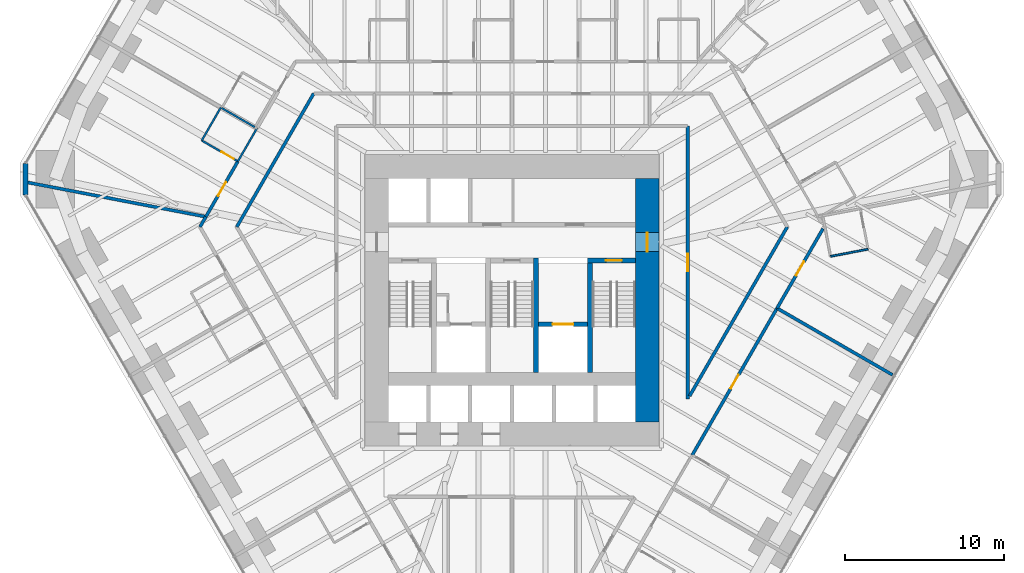
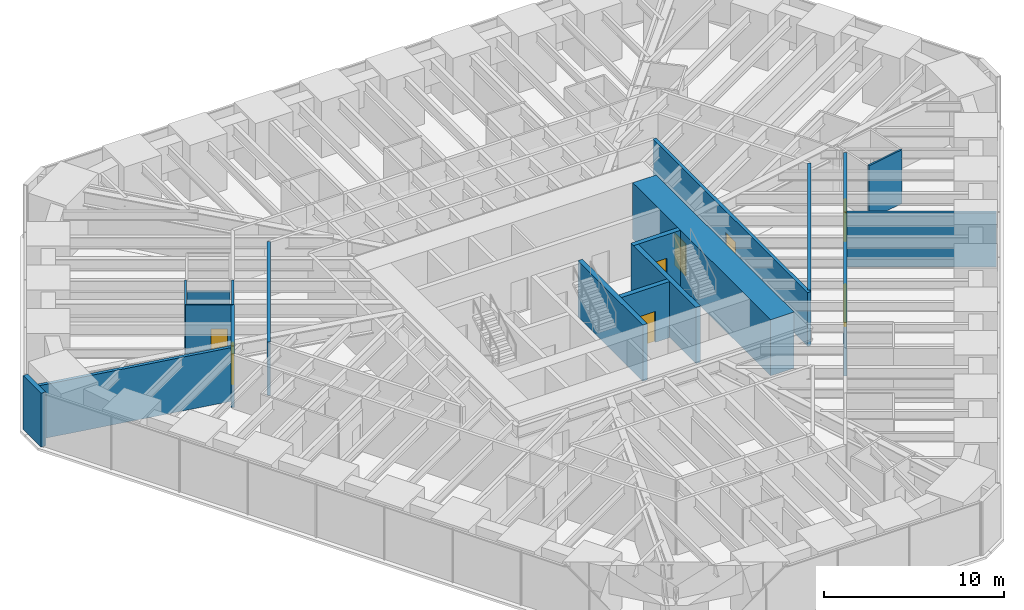
# One storey, part 13 of 17: 20 walls, 8 doors, 8 openings.
"""IFC4 building model written with IfcOpenShell, lengths in metres."""

from ifc_helpers import new_model, si_unit, direction, frame, frame_2d, origin, place, context, subcontext, project, spatial, rectangle, extrude, material, layer, layer_set, type_object, element, fill, save


model = new_model("IFC4")

# Units and contexts
model_context = context("Model", 3, precision=1e-05, world=origin(), true_north=direction((0.0, 1.0)))
body_context = subcontext(model_context, "Body", "Model", "MODEL_VIEW")
ifc_project = project(units=[si_unit("LENGTHUNIT", "METRE"), si_unit("AREAUNIT", "SQUARE_METRE"), si_unit("VOLUMEUNIT", "CUBIC_METRE"), si_unit("PLANEANGLEUNIT", "RADIAN"), si_unit("MASSUNIT", "GRAM", prefix="KILO")], contexts=[model_context])

# Site, building, storey
site_placement = place(None, origin())
site = spatial("IfcSite", under=ifc_project, at=site_placement, CompositionType="ELEMENT")
building_placement = place(site_placement, origin())
building = spatial("IfcBuilding", under=site, at=building_placement, Name="Sandreach Pilgrim Tower", CompositionType="ELEMENT")
storey_placement = place(building_placement, frame((0.0, 0.0, 49.60009765625)))
storey = spatial("IfcBuildingStorey", under=building, at=storey_placement, Name="L11", CompositionType="ELEMENT", Elevation=49.60009765625)

# Wall, opening, door
ifc_material_1 = material(Name="Moisture-resistant gypsum board on steel studs", Category="steel")
ifc_layer_1 = layer(ifc_material_1, 0.1201171875)
ifc_layer_set_1 = layer_set([ifc_layer_1], Name="Bathroom partition 120")
wall_type_1 = type_object("IfcWallType", Name="Bathroom partition 120", PredefinedType="PARTITIONING", material=ifc_layer_set_1)
wall_1_placement = place(storey_placement, frame((-19.5, 8.489990234375, 0.0), z_axis=(0.0, 0.0, 1.0), x_axis=(0.866114241029, -0.499846097802, 0.0)))
wall_1 = element("IfcWall", 1, at=wall_1_placement, inside=storey, type_object=wall_type_1, Name="Bathroom partition L11-007", PredefinedType="PARTITIONING", context=body_context, shape_type="SweptSolid", body=[
    extrude(rectangle(XDim=2.620849609375, YDim=0.1201171875, at=frame_2d((1.310546875, 0.0))), origin(), (0.0, 0.0, 1.0), 3.639892578125),
])
opening_1_placement = place(wall_1_placement, frame((1.4208984375, 0.0, 0.0)))
opening_1 = element("IfcOpeningElement", 2, at=opening_1_placement, cuts=wall_1, Name="Opening D09-15B", PredefinedType="OPENING", context=body_context, shape_type="SweptSolid", body=[
    extrude(rectangle(XDim=0.89990234375, YDim=2.030029296875, at=frame_2d((0.449951171875, 1.01513671875))), frame((0.0, 0.06005859375, 0.0), z_axis=(0.0, -1.0, 0.0), x_axis=(1.0, 0.0, 0.0)), (0.0, 0.0, 1.0), 0.1201171875),
])
ifc_material_2 = material(Name="Timber door, steel frame", Category="steel")
door_type_1 = type_object("IfcDoorType", Name="Bathroom door", OperationType="SINGLE_SWING_LEFT", PredefinedType="DOOR", material=ifc_material_2)
door_1_placement = place(opening_1_placement, origin())
door_1 = element("IfcDoor", 3, at=door_1_placement, inside=storey, type_object=door_type_1, Name="Door 1115B", OperationType="SINGLE_SWING_RIGHT", OverallHeight=2.030029296875, OverallWidth=0.89990234375, PredefinedType="DOOR", context=body_context, shape_type="SweptSolid", body=[
    extrude(rectangle(XDim=0.89990234375, YDim=2.030029296875, at=frame_2d((0.449951171875, 1.01513671875))), frame((0.0, 0.02490234375, 0.0), z_axis=(0.0, -1.0, 0.0), x_axis=(1.0, 0.0, 0.0)), (0.0, 0.0, 1.0), 0.050048828125),
])
fill(opening_1, door_1)

# Walls
wall_2_placement = place(storey_placement, frame((-18.300048828125, 10.570068359375, 0.0), z_axis=(0.0, 0.0, 1.0), x_axis=(-0.499693115345, -0.866202511239, 0.0)))
element("IfcWall", 4, at=wall_2_placement, inside=storey, type_object=wall_type_1, Name="Bathroom partition L11-011", PredefinedType="PARTITIONING", context=body_context, shape_type="SweptSolid", body=[
    extrude(rectangle(XDim=2.4013671875, YDim=0.1201171875, at=frame_2d((1.20068359375, 0.0))), origin(), (0.0, 0.0, 1.0), 3.639892578125),
])
wall_3_placement = place(storey_placement, frame((-18.239990234375, 10.530029296875, 0.0), z_axis=(0.0, 0.0, 1.0), x_axis=(0.866202511239, -0.499693115345, 0.0)))
element("IfcWall", 5, at=wall_3_placement, inside=storey, type_object=wall_type_1, Name="Bathroom partition L11-012", PredefinedType="PARTITIONING", context=body_context, shape_type="SweptSolid", body=[
    extrude(rectangle(XDim=2.4013671875, YDim=0.1201171875, at=frame_2d((1.20068359375, 0.0))), origin(), (0.0, 0.0, 1.0), 2.860107421875),
])
wall_4_placement = place(storey_placement, frame((-17.22998046875, 7.179931640625, 0.0), z_axis=(0.0, 0.0, 1.0), x_axis=(0.500009943768, 0.866019662671, 0.0)))
element("IfcWall", 6, at=wall_4_placement, inside=storey, type_object=wall_type_1, Name="Bathroom partition L11-017", PredefinedType="PARTITIONING", context=body_context, shape_type="SweptSolid", body=[
    extrude(rectangle(XDim=2.4013671875, YDim=0.1201171875, at=frame_2d((1.20068359375, 0.0))), origin(), (0.0, 0.0, 1.0), 3.639892578125),
])
wall_5_placement = place(storey_placement, frame((20.02001953125, 1.2099609375, 0.0), z_axis=(0.0, 0.0, 1.0), x_axis=(0.982303859288, 0.187294228499, 0.0)))
element("IfcWall", 7, at=wall_5_placement, inside=storey, type_object=wall_type_1, Name="Bathroom partition L11-129", PredefinedType="PARTITIONING", context=body_context, shape_type="SweptSolid", body=[
    extrude(rectangle(XDim=2.40234375, YDim=0.1201171875, at=frame_2d((1.201171875, 0.0))), origin(), (0.0, 0.0, 1.0), 3.639892578125),
])
ifc_material_3 = material(Name="Concrete 10000 psi", Category="concrete")
ifc_layer_2 = layer(ifc_material_3, 0.300048828125)
ifc_layer_set_2 = layer_set([ifc_layer_2], Name="Core inner wall 300")
wall_type_2 = type_object("IfcWallType", Name="Core inner wall 300", PredefinedType="SHEAR", material=ifc_layer_set_2)
for number, where, z_axis, x_axis, name in (
    (8, (1.5, -6.10009765625, 0.0), (0.0, 0.0, 1.0), (0.0, 1.0, 0.0), "Core wall I2 L11"),
    (9, (4.89990234375, -6.10009765625, 0.0), (0.0, 0.0, 1.0), (0.0, 1.0, 0.0), "Core wall I3 L11"),
):
    element("IfcWall", number, at=place(storey_placement, frame(where, z_axis=z_axis, x_axis=x_axis)), inside=storey, type_object=wall_type_2, Name=name, PredefinedType="SHEAR", context=body_context, shape_type="SweptSolid", body=[
        extrude(rectangle(XDim=7.2001953125, YDim=0.300048828125, at=frame_2d((3.60009765625, 0.0))), origin(), (0.0, 0.0, 1.0), 3.7998046875),
    ])

# Wall, opening, door
wall_6_placement = place(storey_placement, frame((4.75, 0.949951171875, 0.0), z_axis=(0.0, 0.0, 1.0), x_axis=(1.0, 0.0, 0.0)))
wall_6 = element("IfcWall", 10, at=wall_6_placement, inside=storey, type_object=wall_type_2, Name="Core wall SN2 L11", PredefinedType="SHEAR", context=body_context, shape_type="SweptSolid", body=[
    extrude(rectangle(XDim=3.0, YDim=0.300048828125, at=frame_2d((1.5, 0.0))), origin(), (0.0, 0.0, 1.0), 3.7998046875),
])
opening_2_placement = place(wall_6_placement, frame((1.14990234375, 0.0, 0.0)))
opening_2 = element("IfcOpeningElement", 11, at=opening_2_placement, cuts=wall_6, Name="Opening D10S-ST2", PredefinedType="OPENING", context=body_context, shape_type="SweptSolid", body=[
    extrude(rectangle(XDim=1.0, YDim=2.199951171875, at=frame_2d((0.5, 1.10009765625))), frame((0.0, 0.14990234375, 0.0), z_axis=(0.0, -1.0, 0.0), x_axis=(1.0, 0.0, 0.0)), (0.0, 0.0, 1.0), 0.300048828125),
])
ifc_material_4 = material(Name="Steel door and frame", Category="steel")
door_type_2 = type_object("IfcDoorType", Name="Stair door", OperationType="SINGLE_SWING_LEFT", PredefinedType="DOOR", material=ifc_material_4)
door_2_placement = place(opening_2_placement, origin())
door_2 = element("IfcDoor", 12, at=door_2_placement, inside=storey, type_object=door_type_2, Name="Stair door ST2 L11", OperationType="SINGLE_SWING_RIGHT", OverallHeight=2.199951171875, OverallWidth=1.0, PredefinedType="DOOR", context=body_context, shape_type="SweptSolid", body=[
    extrude(rectangle(XDim=1.0, YDim=2.199951171875, at=frame_2d((0.5, 1.10009765625))), frame((0.0, 0.02490234375, 0.0), z_axis=(0.0, -1.0, 0.0), x_axis=(1.0, 0.0, 0.0)), (0.0, 0.0, 1.0), 0.050048828125),
])
fill(opening_2, door_2)

wall_7_placement = place(storey_placement, frame((1.64990234375, -3.050048828125, 0.0), z_axis=(0.0, 0.0, 1.0), x_axis=(1.0, 0.0, 0.0)))
wall_7 = element("IfcWall", 13, at=wall_7_placement, inside=storey, type_object=wall_type_2, Name="Core wall FL2 L11", PredefinedType="SHEAR", context=body_context, shape_type="SweptSolid", body=[
    extrude(rectangle(XDim=3.10009765625, YDim=0.300048828125, at=frame_2d((1.550048828125, 0.0))), origin(), (0.0, 0.0, 1.0), 3.7998046875),
])
opening_3_placement = place(wall_7_placement, frame((0.89990234375, 0.0, 0.0)))
opening_3 = element("IfcOpeningElement", 14, at=opening_3_placement, cuts=wall_7, Name="Opening LD13", PredefinedType="OPENING", context=body_context, shape_type="SweptSolid", body=[
    extrude(rectangle(XDim=1.300048828125, YDim=2.10009765625, at=frame_2d((0.64990234375, 1.050048828125))), frame((0.0, 0.14990234375, 0.0), z_axis=(0.0, -1.0, 0.0), x_axis=(1.0, 0.0, 0.0)), (0.0, 0.0, 1.0), 0.300048828125),
])
ifc_material_5 = material(Name="Steel door and frame", Category="steel")
door_type_3 = type_object("IfcDoorType", Name="Fire service lift landing door", OperationType="DOUBLE_DOOR_SLIDING", PredefinedType="DOOR", material=ifc_material_5)
door_3_placement = place(opening_3_placement, origin())
door_3 = element("IfcDoor", 15, at=door_3_placement, inside=storey, type_object=door_type_3, Name="Lift landing door FS2 L11", OperationType="DOUBLE_DOOR_SLIDING", OverallHeight=2.10009765625, OverallWidth=1.300048828125, PredefinedType="DOOR", context=body_context, shape_type="SweptSolid", body=[
    extrude(rectangle(XDim=1.300048828125, YDim=2.10009765625, at=frame_2d((0.64990234375, 1.050048828125))), frame((0.0, 0.02490234375, 0.0), z_axis=(0.0, -1.0, 0.0), x_axis=(1.0, 0.0, 0.0)), (0.0, 0.0, 1.0), 0.050048828125),
])
fill(opening_3, door_3)

ifc_material_6 = material(Name="Concrete 10000 psi", Category="concrete")
ifc_layer_3 = layer(ifc_material_6, 1.5)
ifc_layer_set_3 = layer_set([ifc_layer_3], Name="Core wall 1500")
wall_type_3 = type_object("IfcWallType", Name="Core wall 1500", PredefinedType="SHEAR", material=ifc_layer_set_3)
wall_8_placement = place(storey_placement, frame((8.5, -9.199951171875, 0.0), z_axis=(0.0, 0.0, 1.0), x_axis=(0.0, 1.0, 0.0)))
wall_8 = element("IfcWall", 16, at=wall_8_placement, inside=storey, type_object=wall_type_3, Name="Core wall E L11", PredefinedType="SHEAR", context=body_context, shape_type="SweptSolid", body=[
    extrude(rectangle(XDim=15.300048828125, YDim=1.5, at=frame_2d((7.64990234375, 0.0))), origin(), (0.0, 0.0, 1.0), 3.7998046875),
])
opening_4_placement = place(wall_8_placement, frame((10.699951171875, 0.0, 0.0)))
opening_4 = element("IfcOpeningElement", 17, at=opening_4_placement, cuts=wall_8, Name="Opening D12F-E", PredefinedType="OPENING", context=body_context, shape_type="SweptSolid", body=[
    extrude(rectangle(XDim=1.199951171875, YDim=2.199951171875, at=frame_2d((0.60009765625, 1.10009765625))), frame((0.0, 0.75, 0.0), z_axis=(0.0, -1.0, 0.0), x_axis=(1.0, 0.0, 0.0)), (0.0, 0.0, 1.0), 1.5),
])
ifc_material_7 = material(Name="Steel door and frame", Category="steel")
door_type_4 = type_object("IfcDoorType", Name="Fire lobby door", OperationType="SINGLE_SWING_LEFT", PredefinedType="DOOR", material=ifc_material_7)
door_4_placement = place(opening_4_placement, origin())
door_4 = element("IfcDoor", 18, at=door_4_placement, inside=storey, type_object=door_type_4, Name="Fire service lobby door E L11", OperationType="SINGLE_SWING_RIGHT", OverallHeight=2.199951171875, OverallWidth=1.199951171875, PredefinedType="DOOR", context=body_context, shape_type="SweptSolid", body=[
    extrude(rectangle(XDim=1.199951171875, YDim=2.199951171875, at=frame_2d((0.60009765625, 1.10009765625))), frame((0.0, 0.02490234375, 0.0), z_axis=(0.0, -1.0, 0.0), x_axis=(1.0, 0.0, 0.0)), (0.0, 0.0, 1.0), 0.050048828125),
])
fill(opening_4, door_4)

# Wall
ifc_material_8 = material(Name="Gypsum board on steel studs, two layers each side", Category="steel")
ifc_layer_4 = layer(ifc_material_8, 0.199951171875)
ifc_layer_set_4 = layer_set([ifc_layer_4], Name="Corridor wall 200")
wall_type_4 = type_object("IfcWallType", Name="Corridor wall 200", PredefinedType="PARTITIONING", material=ifc_layer_set_4)
wall_9_placement = place(storey_placement, frame((-19.610107421875, 3.06005859375, 0.0), z_axis=(0.0, 0.0, 1.0), x_axis=(0.50068472101, 0.865629718844, 0.0)))
element("IfcWall", 19, at=wall_9_placement, inside=storey, type_object=wall_type_4, Name="Corridor wall L11-005", PredefinedType="PARTITIONING", context=body_context, shape_type="SweptSolid", body=[
    extrude(rectangle(XDim=0.7392578125, YDim=0.199951171875, at=frame_2d((0.36962890625, 0.0))), origin(), (0.0, 0.0, 1.0), 3.639892578125),
])

# Wall, opening, door
wall_10_placement = place(storey_placement, frame((-19.239990234375, 3.699951171875, 0.0), z_axis=(0.0, 0.0, 1.0), x_axis=(0.500157149565, 0.865934654428, 0.0)))
wall_10 = element("IfcWall", 20, at=wall_10_placement, inside=storey, type_object=wall_type_4, Name="Corridor wall L11-008", PredefinedType="PARTITIONING", context=body_context, shape_type="SweptSolid", body=[
    extrude(rectangle(XDim=4.018798828125, YDim=0.199951171875, at=frame_2d((2.00927734375, 0.0))), origin(), (0.0, 0.0, 1.0), 3.639892578125),
])
opening_5_placement = place(wall_10_placement, frame((1.509521484375, 0.0, 0.0)))
opening_5 = element("IfcOpeningElement", 21, at=opening_5_placement, cuts=wall_10, Name="Opening D10-15", PredefinedType="OPENING", context=body_context, shape_type="SweptSolid", body=[
    extrude(rectangle(XDim=1.0, YDim=2.1298828125, at=frame_2d((0.5, 1.06494140625))), frame((0.0, 0.10009765625, 0.0), z_axis=(0.0, -1.0, 0.0), x_axis=(1.0, 0.0, 0.0)), (0.0, 0.0, 1.0), 0.199951171875),
])
ifc_material_9 = material(Name="Steel door and frame", Category="steel")
door_type_5 = type_object("IfcDoorType", Name="Guest room entry door", OperationType="SINGLE_SWING_LEFT", PredefinedType="DOOR", material=ifc_material_9)
door_5_placement = place(opening_5_placement, origin())
door_5 = element("IfcDoor", 22, at=door_5_placement, inside=storey, type_object=door_type_5, Name="Door 1115", OperationType="SINGLE_SWING_LEFT", OverallHeight=2.1298828125, OverallWidth=1.0, PredefinedType="DOOR", context=body_context, shape_type="SweptSolid", body=[
    extrude(rectangle(XDim=1.0, YDim=2.1298828125, at=frame_2d((0.5, 1.06494140625))), frame((0.0, 0.02490234375, 0.0), z_axis=(0.0, -1.0, 0.0), x_axis=(1.0, 0.0, 0.0)), (0.0, 0.0, 1.0), 0.050048828125),
])
fill(opening_5, door_5)

# Wall
wall_11_placement = place(storey_placement, frame((-17.300048828125, 3.06005859375, 0.0), z_axis=(0.0, 0.0, 1.0), x_axis=(0.499704269421, 0.866196076603, 0.0)))
element("IfcWall", 23, at=wall_11_placement, inside=storey, type_object=wall_type_4, Name="Corridor wall L11-016", PredefinedType="PARTITIONING", context=body_context, shape_type="SweptSolid", body=[
    extrude(rectangle(XDim=9.685791015625, YDim=0.199951171875, at=frame_2d((4.8427734375, 0.0))), origin(), (0.0, 0.0, 1.0), 3.639892578125),
])

# Wall, opening, door
wall_12_placement = place(storey_placement, frame((11.050048828125, -7.760009765625, 0.0), z_axis=(0.0, 0.0, 1.0), x_axis=(0.0, 1.0, 0.0)))
wall_12 = element("IfcWall", 24, at=wall_12_placement, inside=storey, type_object=wall_type_4, Name="Corridor wall L11-103", PredefinedType="PARTITIONING", context=body_context, shape_type="SweptSolid", body=[
    extrude(rectangle(XDim=17.159912109375, YDim=0.199951171875, at=frame_2d((8.580078125, 0.0))), origin(), (0.0, 0.0, 1.0), 3.639892578125),
])
opening_6_placement = place(wall_12_placement, frame((8.030029296875, 0.0, 0.0)))
opening_6 = element("IfcOpeningElement", 25, at=opening_6_placement, cuts=wall_12, Name="Opening D11H-M04", PredefinedType="OPENING", context=body_context, shape_type="SweptSolid", body=[
    extrude(rectangle(XDim=1.10009765625, YDim=2.199951171875, at=frame_2d((0.550048828125, 1.10009765625))), frame((0.0, 0.10009765625, 0.0), z_axis=(0.0, -1.0, 0.0), x_axis=(1.0, 0.0, 0.0)), (0.0, 0.0, 1.0), 0.199951171875),
])
ifc_material_10 = material(Name="Steel door and frame", Category="steel")
door_type_6 = type_object("IfcDoorType", Name="Back of house door", OperationType="SINGLE_SWING_LEFT", PredefinedType="DOOR", material=ifc_material_10)
door_6_placement = place(opening_6_placement, origin())
door_6 = element("IfcDoor", 26, at=door_6_placement, inside=storey, type_object=door_type_6, Name="Door 11M04", OperationType="SINGLE_SWING_LEFT", OverallHeight=2.199951171875, OverallWidth=1.10009765625, PredefinedType="DOOR", context=body_context, shape_type="SweptSolid", body=[
    extrude(rectangle(XDim=1.10009765625, YDim=2.199951171875, at=frame_2d((0.550048828125, 1.10009765625))), frame((0.0, 0.02490234375, 0.0), z_axis=(0.0, -1.0, 0.0), x_axis=(1.0, 0.0, 0.0)), (0.0, 0.0, 1.0), 0.050048828125),
])
fill(opening_6, door_6)

wall_13_placement = place(storey_placement, frame((11.330078125, -11.280029296875, 0.0), z_axis=(0.0, 0.0, 1.0), x_axis=(0.50006348966, 0.865988744909, 0.0)))
wall_13 = element("IfcWall", 27, at=wall_13_placement, inside=storey, type_object=wall_type_4, Name="Corridor wall L11-104", PredefinedType="PARTITIONING", context=body_context, shape_type="SweptSolid", body=[
    extrude(rectangle(XDim=10.658203125, YDim=0.199951171875, at=frame_2d((5.3291015625, 0.0))), origin(), (0.0, 0.0, 1.0), 3.639892578125),
])
opening_7_placement = place(wall_13_placement, frame((4.8291015625, 0.0, 0.0)))
opening_7 = element("IfcOpeningElement", 28, at=opening_7_placement, cuts=wall_13, Name="Opening D10-08", PredefinedType="OPENING", context=body_context, shape_type="SweptSolid", body=[
    extrude(rectangle(XDim=1.0, YDim=2.1298828125, at=frame_2d((0.5, 1.06494140625))), frame((0.0, 0.10009765625, 0.0), z_axis=(0.0, -1.0, 0.0), x_axis=(1.0, 0.0, 0.0)), (0.0, 0.0, 1.0), 0.199951171875),
])
door_7_placement = place(opening_7_placement, origin())
door_7 = element("IfcDoor", 29, at=door_7_placement, inside=storey, type_object=door_type_5, Name="Door 1108", OperationType="SINGLE_SWING_LEFT", OverallHeight=2.1298828125, OverallWidth=1.0, PredefinedType="DOOR", context=body_context, shape_type="SweptSolid", body=[
    extrude(rectangle(XDim=1.0, YDim=2.1298828125, at=frame_2d((0.5, 1.06494140625))), frame((0.0, 0.02490234375, 0.0), z_axis=(0.0, -1.0, 0.0), x_axis=(1.0, 0.0, 0.0)), (0.0, 0.0, 1.0), 0.050048828125),
])
fill(opening_7, door_7)

wall_14_placement = place(storey_placement, frame((16.659912109375, -2.050048828125, 0.0), z_axis=(0.0, 0.0, 1.0), x_axis=(0.499994452889, 0.866028606387, 0.0)))
wall_14 = element("IfcWall", 30, at=wall_14_placement, inside=storey, type_object=wall_type_4, Name="Corridor wall L11-120", PredefinedType="PARTITIONING", context=body_context, shape_type="SweptSolid", body=[
    extrude(rectangle(XDim=5.775390625, YDim=0.199951171875, at=frame_2d((2.8876953125, 0.0))), origin(), (0.0, 0.0, 1.0), 3.639892578125),
])
opening_8_placement = place(wall_14_placement, frame((2.3876953125, 0.0, 0.0)))
opening_8 = element("IfcOpeningElement", 31, at=opening_8_placement, cuts=wall_14, Name="Opening D10-07", PredefinedType="OPENING", context=body_context, shape_type="SweptSolid", body=[
    extrude(rectangle(XDim=1.0, YDim=2.1298828125, at=frame_2d((0.5, 1.06494140625))), frame((0.0, 0.10009765625, 0.0), z_axis=(0.0, -1.0, 0.0), x_axis=(1.0, 0.0, 0.0)), (0.0, 0.0, 1.0), 0.199951171875),
])
door_8_placement = place(opening_8_placement, origin())
door_8 = element("IfcDoor", 32, at=door_8_placement, inside=storey, type_object=door_type_5, Name="Door 1107", OperationType="SINGLE_SWING_LEFT", OverallHeight=2.1298828125, OverallWidth=1.0, PredefinedType="DOOR", context=body_context, shape_type="SweptSolid", body=[
    extrude(rectangle(XDim=1.0, YDim=2.1298828125, at=frame_2d((0.5, 1.06494140625))), frame((0.0, 0.02490234375, 0.0), z_axis=(0.0, -1.0, 0.0), x_axis=(1.0, 0.0, 0.0)), (0.0, 0.0, 1.0), 0.050048828125),
])
fill(opening_8, door_8)

# Walls
wall_15_placement = place(storey_placement, frame((17.300048828125, 3.06005859375, 0.0), z_axis=(0.0, 0.0, 1.0), x_axis=(-0.500175206663, -0.865924224537, 0.0)))
element("IfcWall", 33, at=wall_15_placement, inside=storey, type_object=wall_type_4, Name="Corridor wall L11-121", PredefinedType="PARTITIONING", context=body_context, shape_type="SweptSolid", body=[
    extrude(rectangle(XDim=12.275390625, YDim=0.199951171875, at=frame_2d((6.1376953125, 0.0))), origin(), (0.0, 0.0, 1.0), 3.639892578125),
])
ifc_material_11 = material(Name="Double steel stud acoustic wall, gypsum board", Category="steel")
ifc_layer_5 = layer(ifc_material_11, 0.199951171875)
ifc_layer_set_5 = layer_set([ifc_layer_5], Name="Party wall 200")
wall_type_5 = type_object("IfcWallType", Name="Party wall 200", PredefinedType="PARTITIONING", material=ifc_layer_set_5)
wall_16_placement = place(storey_placement, frame((-30.590576171875, 5.88427734375, 0.0), z_axis=(0.0, 0.0, 1.0), x_axis=(0.981983289605, -0.188967772219, 0.0)))
element("IfcWall", 34, at=wall_16_placement, inside=storey, type_object=wall_type_5, Name="Party wall L11-001", PredefinedType="PARTITIONING", context=body_context, shape_type="SweptSolid", body=[
    extrude(rectangle(XDim=11.5087890625, YDim=0.199951171875, at=frame_2d((5.75439453125, 0.0))), origin(), (0.0, 0.0, 1.0), 3.639892578125),
])
wall_17_placement = place(storey_placement, frame((23.916015625, -6.239990234375, 0.0), z_axis=(0.0, 0.0, 1.0), x_axis=(-0.865982991691, 0.500073452706, 0.0)))
element("IfcWall", 35, at=wall_17_placement, inside=storey, type_object=wall_type_5, Name="Party wall L11-134", PredefinedType="PARTITIONING", context=body_context, shape_type="SweptSolid", body=[
    extrude(rectangle(XDim=8.368896484375, YDim=0.199951171875, at=frame_2d((4.1845703125, 0.0))), origin(), (0.0, 0.0, 1.0), 3.639892578125),
])
ifc_material_12 = material(Name="Terracotta rainscreen on concrete", Category="masonry")
ifc_layer_6 = layer(ifc_material_12, 0.300048828125)
ifc_layer_set_6 = layer_set([ifc_layer_6], Name="Terracotta chamfer pier")
wall_type_6 = type_object("IfcWallType", Name="Terracotta chamfer pier", PredefinedType="SOLIDWALL", material=ifc_layer_set_6)
wall_18_placement = place(storey_placement, frame((-30.576171875, 5.062255859375, 0.0), z_axis=(0.0, 0.0, 1.0), x_axis=(0.0, 1.0, 0.0)))
element("IfcWall", 36, at=wall_18_placement, inside=storey, type_object=wall_type_6, Name="Chamfer pier L11 SW", PredefinedType="SOLIDWALL", context=body_context, shape_type="SweptSolid", body=[
    extrude(rectangle(XDim=2.0, YDim=0.300048828125, at=frame_2d((1.0, 0.0))), origin(), (0.0, 0.0, 1.0), 3.639892578125),
])

save(model, "model.ifc")
